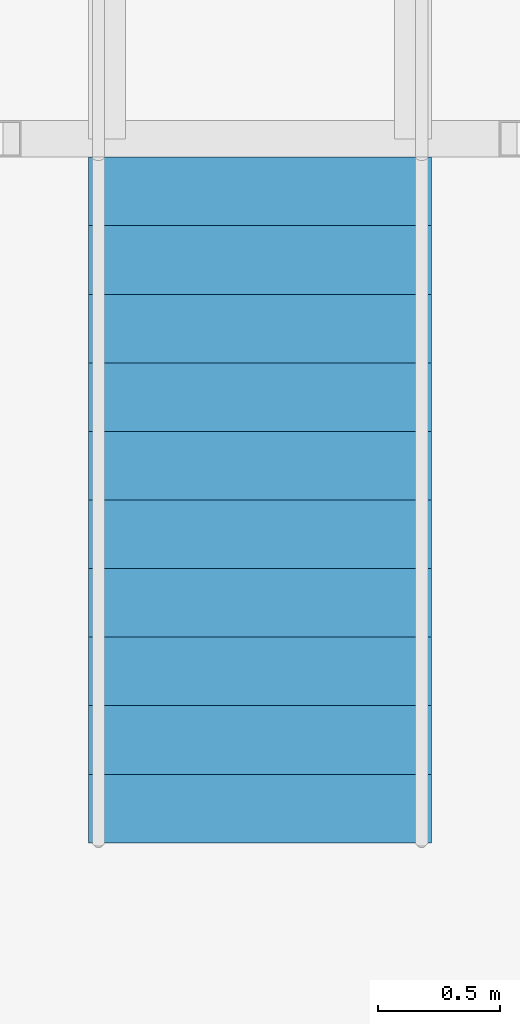
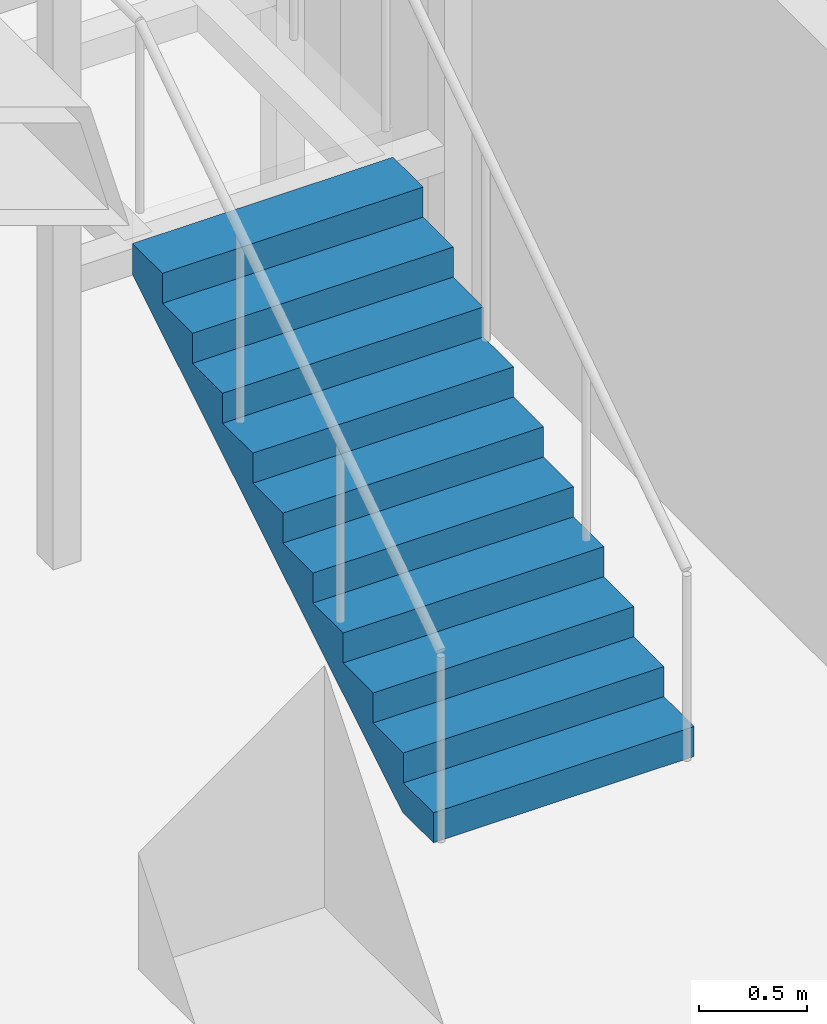
# One storey, part 23 of 27: 1 stair flight, 1 element without a shape of its own.
"""IFC4 building model written with IfcOpenShell, lengths in metres."""

from ifc_helpers import new_model, si_unit, direction, frame, origin, place, context, subcontext, project, spatial, triangles, material, type_object, element, aggregate, save


model = new_model("IFC4")

# Units and contexts
model_context = context("Model", 3, precision=1e-05, world=origin(), true_north=direction((0.0, 1.0)))
body_context = subcontext(model_context, "Body", "Model", "MODEL_VIEW")
ifc_project = project(units=[si_unit("LENGTHUNIT", "METRE"), si_unit("AREAUNIT", "SQUARE_METRE"), si_unit("VOLUMEUNIT", "CUBIC_METRE"), si_unit("PLANEANGLEUNIT", "RADIAN"), si_unit("MASSUNIT", "GRAM", prefix="KILO")], contexts=[model_context])

# Site, building, storey
site_placement = place(None, origin())
site = spatial("IfcSite", under=ifc_project, at=site_placement, CompositionType="ELEMENT")
building_placement = place(site_placement, origin())
building = spatial("IfcBuilding", under=site, at=building_placement, Name="Orbita Commons", CompositionType="ELEMENT")
storey_placement = place(building_placement, frame((0.0, 0.0, 246.550048828125)))
storey = spatial("IfcBuildingStorey", under=building, at=storey_placement, Name="L61", CompositionType="ELEMENT", Elevation=246.550048828125)

# Stair, stair flight
ifc_material_1 = material(Name="Steel ASTM A992 stringers, precast concrete C40/50 terrazzo treads", Category="concrete")
stair_type = type_object("IfcStairType", Name="Feature stair 22 risers 170 x 280 x 1400", PredefinedType="STRAIGHT_RUN_STAIR", material=ifc_material_1)
stair_placement = place(storey_placement, origin())
stair = element("IfcStair", 1, at=stair_placement, inside=storey, type_object=stair_type, Name="Neighbourhood stair L61 to L62", PredefinedType="STRAIGHT_RUN_STAIR")
ifc_material_2 = material(Name="Steel ASTM A992 stringers, precast concrete C40/50 terrazzo treads", Category="concrete")
stair_flight_type = type_object("IfcStairFlightType", Name="Feature stair flight 11 risers 170 x 1400", PredefinedType="STRAIGHT", material=ifc_material_2)
stair_flight_placement = place(storey_placement, frame((13.89990234375, 40.89990234375, 0.0), z_axis=(0.0, 0.0, 1.0), x_axis=(0.0, 1.0, 0.0)))
stair_flight = element("IfcStairFlight", 2, at=stair_flight_placement, type_object=stair_flight_type, Name="FS flight 1", NumberOfRisers=11, NumberOfTreads=10, PredefinedType="STRAIGHT", RiserHeight=0.170454545, TreadLength=0.28, context=body_context, shape_type="Tessellation", body=[
    triangles([(0.0, 0.699951, 0.0), (0.0, 0.699951, 0.021307), (0.0, 0.583293, 0.021307), (0.0, 0.583293, 0.0), (0.0, 0.466634, 0.021307), (0.0, 0.466634, 0.0), (0.0, 0.349976, 0.021307), (0.0, 0.349976, 0.0), (0.0, 0.233317, 0.021307), (0.0, 0.233317, 0.0), (0.0, 0.116659, 0.021307), (0.0, 0.116659, 0.0), (0.0, 0.0, 0.021307), (0.0, 0.0, 0.0), (0.0, -0.116659, 0.021307), (0.0, -0.116659, 0.0), (0.0, -0.233317, 0.021307), (0.0, -0.233317, 0.0), (0.0, -0.349976, 0.021307), (0.0, -0.349976, 0.0), (0.0, -0.466634, 0.021307), (0.0, -0.466634, 0.0), (0.0, -0.583293, 0.021307), (0.0, -0.583293, 0.0), (0.0, -0.699951, 0.021307), (0.0, -0.699951, 0.0), (0.0, 0.699951, 0.042614), (0.0, 0.583293, 0.042614), (0.0, 0.466634, 0.042614), (0.0, 0.349976, 0.042614), (0.0, 0.233317, 0.042614), (0.0, 0.116659, 0.042614), (0.0, 0.0, 0.042614), (0.0, -0.116659, 0.042614), (0.0, -0.233317, 0.042614), (0.0, -0.349976, 0.042614), (0.0, -0.466634, 0.042614), (0.0, -0.583293, 0.042614), (0.0, -0.699951, 0.042614), (0.0, 0.699951, 0.06392), (0.0, 0.583293, 0.06392), (0.0, 0.466634, 0.06392), (0.0, 0.349976, 0.06392), (0.0, 0.233317, 0.06392), (0.0, 0.116659, 0.06392), (0.0, 0.0, 0.06392), (0.0, -0.116659, 0.06392), (0.0, -0.233317, 0.06392), (0.0, -0.349976, 0.06392), (0.0, -0.466634, 0.06392), (0.0, -0.583293, 0.06392), (0.0, -0.699951, 0.06392), (0.0, 0.699951, 0.085227), (0.0, 0.583293, 0.085227), (0.0, 0.466634, 0.085227), (0.0, 0.349976, 0.085227), (0.0, 0.233317, 0.085227), (0.0, 0.116659, 0.085227), (0.0, 0.0, 0.085227), (0.0, -0.116659, 0.085227), (0.0, -0.233317, 0.085227), (0.0, -0.349976, 0.085227), (0.0, -0.466634, 0.085227), (0.0, -0.583293, 0.085227), (0.0, -0.699951, 0.085227), (0.0, 0.699951, 0.106534), (0.0, 0.583293, 0.106534), (0.0, 0.466634, 0.106534), (0.0, 0.349976, 0.106534), (0.0, 0.233317, 0.106534), (0.0, 0.116659, 0.106534), (0.0, 0.0, 0.106534), (0.0, -0.116659, 0.106534), (0.0, -0.233317, 0.106534), (0.0, -0.349976, 0.106534), (0.0, -0.466634, 0.106534), (0.0, -0.583293, 0.106534), (0.0, -0.699951, 0.106534), (0.0, 0.699951, 0.127841), (0.0, 0.583293, 0.127841), (0.0, 0.466634, 0.127841), (0.0, 0.349976, 0.127841), (0.0, 0.233317, 0.127841), (0.0, 0.116659, 0.127841), (0.0, 0.0, 0.127841), (0.0, -0.116659, 0.127841), (0.0, -0.233317, 0.127841), (0.0, -0.349976, 0.127841), (0.0, -0.466634, 0.127841), (0.0, -0.583293, 0.127841), (0.0, -0.699951, 0.127841), (0.0, 0.699951, 0.149148), (0.0, 0.583293, 0.149148), (0.0, 0.466634, 0.149148), (0.0, 0.349976, 0.149148), (0.0, 0.233317, 0.149148), (0.0, 0.116659, 0.149148), (0.0, 0.0, 0.149148), (0.0, -0.116659, 0.149148), (0.0, -0.233317, 0.149148), (0.0, -0.349976, 0.149148), (0.0, -0.466634, 0.149148), (0.0, -0.583293, 0.149148), (0.0, -0.699951, 0.149148), (0.0, 0.699951, 0.170455), (0.0, 0.583293, 0.170455), (0.0, 0.466634, 0.170455), (0.0, 0.349976, 0.170455), (0.0, 0.233317, 0.170455), (0.0, 0.116659, 0.170455), (0.0, 0.0, 0.170455), (0.0, -0.116659, 0.170455), (0.0, -0.233317, 0.170455), (0.0, -0.349976, 0.170455), (0.0, -0.466634, 0.170455), (0.0, -0.583293, 0.170455), (0.0, -0.699951, 0.170455), (0.28, 0.699951, 0.170455), (0.28, 0.583293, 0.170455), (0.28, 0.466634, 0.170455), (0.28, 0.349976, 0.170455), (0.28, 0.233317, 0.170455), (0.28, 0.116659, 0.170455), (0.28, 0.0, 0.170455), (0.28, -0.116659, 0.170455), (0.28, -0.233317, 0.170455), (0.28, -0.349976, 0.170455), (0.28, -0.466634, 0.170455), (0.28, -0.583293, 0.170455), (0.28, -0.699951, 0.170455), (0.28, 0.699951, 0.340909), (0.28, 0.583293, 0.340909), (0.28, 0.466634, 0.340909), (0.28, 0.349976, 0.340909), (0.28, 0.233317, 0.340909), (0.28, 0.116659, 0.340909), (0.28, 0.0, 0.340909), (0.28, -0.116659, 0.340909), (0.28, -0.233317, 0.340909), (0.28, -0.349976, 0.340909), (0.28, -0.466634, 0.340909), (0.28, -0.583293, 0.340909), (0.28, -0.699951, 0.340909), (0.56, 0.699951, 0.340909), (0.56, 0.583293, 0.340909), (0.56, 0.466634, 0.340909), (0.56, 0.349976, 0.340909), (0.56, 0.233317, 0.340909), (0.56, 0.116659, 0.340909), (0.56, 0.0, 0.340909), (0.56, -0.116659, 0.340909), (0.56, -0.233317, 0.340909), (0.56, -0.349976, 0.340909), (0.56, -0.466634, 0.340909), (0.56, -0.583293, 0.340909), (0.56, -0.699951, 0.340909), (0.56, 0.699951, 0.511364), (0.56, 0.583293, 0.511364), (0.56, 0.466634, 0.511364), (0.56, 0.349976, 0.511364), (0.56, 0.233317, 0.511364), (0.56, 0.116659, 0.511364), (0.56, 0.0, 0.511364), (0.56, -0.116659, 0.511364), (0.56, -0.233317, 0.511364), (0.56, -0.349976, 0.511364), (0.56, -0.466634, 0.511364), (0.56, -0.583293, 0.511364), (0.56, -0.699951, 0.511364), (0.84, 0.699951, 0.511364), (0.84, 0.583293, 0.511364), (0.84, 0.466634, 0.511364), (0.84, 0.349976, 0.511364), (0.84, 0.233317, 0.511364), (0.84, 0.116659, 0.511364), (0.84, 0.0, 0.511364), (0.84, -0.116659, 0.511364), (0.84, -0.233317, 0.511364), (0.84, -0.349976, 0.511364), (0.84, -0.466634, 0.511364), (0.84, -0.583293, 0.511364), (0.84, -0.699951, 0.511364), (0.84, 0.699951, 0.681818), (0.84, 0.583293, 0.681818), (0.84, 0.466634, 0.681818), (0.84, 0.349976, 0.681818), (0.84, 0.233317, 0.681818), (0.84, 0.116659, 0.681818), (0.84, 0.0, 0.681818), (0.84, -0.116659, 0.681818), (0.84, -0.233317, 0.681818), (0.84, -0.349976, 0.681818), (0.84, -0.466634, 0.681818), (0.84, -0.583293, 0.681818), (0.84, -0.699951, 0.681818), (1.12, 0.699951, 0.681818), (1.12, 0.583293, 0.681818), (1.12, 0.466634, 0.681818), (1.12, 0.349976, 0.681818), (1.12, 0.233317, 0.681818), (1.12, 0.116659, 0.681818), (1.12, 0.0, 0.681818), (1.12, -0.116659, 0.681818), (1.12, -0.233317, 0.681818), (1.12, -0.349976, 0.681818), (1.12, -0.466634, 0.681818), (1.12, -0.583293, 0.681818), (1.12, -0.699951, 0.681818), (1.12, 0.699951, 0.852273), (1.12, 0.583293, 0.852273), (1.12, 0.466634, 0.852273), (1.12, 0.349976, 0.852273), (1.12, 0.233317, 0.852273), (1.12, 0.116659, 0.852273), (1.12, 0.0, 0.852273), (1.12, -0.116659, 0.852273), (1.12, -0.233317, 0.852273), (1.12, -0.349976, 0.852273), (1.12, -0.466634, 0.852273), (1.12, -0.583293, 0.852273), (1.12, -0.699951, 0.852273), (1.4, 0.699951, 0.852273), (1.4, 0.583293, 0.852273), (1.4, 0.466634, 0.852273), (1.4, 0.349976, 0.852273), (1.4, 0.233317, 0.852273), (1.4, 0.116659, 0.852273), (1.4, 0.0, 0.852273), (1.4, -0.116659, 0.852273), (1.4, -0.233317, 0.852273), (1.4, -0.349976, 0.852273), (1.4, -0.466634, 0.852273), (1.4, -0.583293, 0.852273), (1.4, -0.699951, 0.852273), (1.4, 0.699951, 1.022727), (1.4, 0.583293, 1.022727), (1.4, 0.466634, 1.022727), (1.4, 0.349976, 1.022727), (1.4, 0.233317, 1.022727), (1.4, 0.116659, 1.022727), (1.4, 0.0, 1.022727), (1.4, -0.116659, 1.022727), (1.4, -0.233317, 1.022727), (1.4, -0.349976, 1.022727), (1.4, -0.466634, 1.022727), (1.4, -0.583293, 1.022727), (1.4, -0.699951, 1.022727), (1.68, 0.699951, 1.022727), (1.68, 0.583293, 1.022727), (1.68, 0.466634, 1.022727), (1.68, 0.349976, 1.022727), (1.68, 0.233317, 1.022727), (1.68, 0.116659, 1.022727), (1.68, 0.0, 1.022727), (1.68, -0.116659, 1.022727), (1.68, -0.233317, 1.022727), (1.68, -0.349976, 1.022727), (1.68, -0.466634, 1.022727), (1.68, -0.583293, 1.022727), (1.68, -0.699951, 1.022727), (1.68, 0.699951, 1.193182), (1.68, 0.583293, 1.193182), (1.68, 0.466634, 1.193182), (1.68, 0.349976, 1.193182), (1.68, 0.233317, 1.193182), (1.68, 0.116659, 1.193182), (1.68, 0.0, 1.193182), (1.68, -0.116659, 1.193182), (1.68, -0.233317, 1.193182), (1.68, -0.349976, 1.193182), (1.68, -0.466634, 1.193182), (1.68, -0.583293, 1.193182), (1.68, -0.699951, 1.193182), (1.96, 0.699951, 1.193182), (1.96, 0.583293, 1.193182), (1.96, 0.466634, 1.193182), (1.96, 0.349976, 1.193182), (1.96, 0.233317, 1.193182), (1.96, 0.116659, 1.193182), (1.96, 0.0, 1.193182), (1.96, -0.116659, 1.193182), (1.96, -0.233317, 1.193182), (1.96, -0.349976, 1.193182), (1.96, -0.466634, 1.193182), (1.96, -0.583293, 1.193182), (1.96, -0.699951, 1.193182), (1.96, 0.699951, 1.363636), (1.96, 0.583293, 1.363636), (1.96, 0.466634, 1.363636), (1.96, 0.349976, 1.363636), (1.96, 0.233317, 1.363636), (1.96, 0.116659, 1.363636), (1.96, 0.0, 1.363636), (1.96, -0.116659, 1.363636), (1.96, -0.233317, 1.363636), (1.96, -0.349976, 1.363636), (1.96, -0.466634, 1.363636), (1.96, -0.583293, 1.363636), (1.96, -0.699951, 1.363636), (2.24, 0.699951, 1.363636), (2.24, 0.583293, 1.363636), (2.24, 0.466634, 1.363636), (2.24, 0.349976, 1.363636), (2.24, 0.233317, 1.363636), (2.24, 0.116659, 1.363636), (2.24, 0.0, 1.363636), (2.24, -0.116659, 1.363636), (2.24, -0.233317, 1.363636), (2.24, -0.349976, 1.363636), (2.24, -0.466634, 1.363636), (2.24, -0.583293, 1.363636), (2.24, -0.699951, 1.363636), (2.24, 0.699951, 1.534091), (2.24, 0.583293, 1.534091), (2.24, 0.466634, 1.534091), (2.24, 0.349976, 1.534091), (2.24, 0.233317, 1.534091), (2.24, 0.116659, 1.534091), (2.24, 0.0, 1.534091), (2.24, -0.116659, 1.534091), (2.24, -0.233317, 1.534091), (2.24, -0.349976, 1.534091), (2.24, -0.466634, 1.534091), (2.24, -0.583293, 1.534091), (2.24, -0.699951, 1.534091), (2.52, 0.699951, 1.534091), (2.52, 0.583293, 1.534091), (2.52, 0.466634, 1.534091), (2.52, 0.349976, 1.534091), (2.52, 0.233317, 1.534091), (2.52, 0.116659, 1.534091), (2.52, 0.0, 1.534091), (2.52, -0.116659, 1.534091), (2.52, -0.233317, 1.534091), (2.52, -0.349976, 1.534091), (2.52, -0.466634, 1.534091), (2.52, -0.583293, 1.534091), (2.52, -0.699951, 1.534091), (2.52, 0.699951, 1.704545), (2.52, 0.583293, 1.704545), (2.52, 0.466634, 1.704545), (2.52, 0.349976, 1.704545), (2.52, 0.233317, 1.704545), (2.52, 0.116659, 1.704545), (2.52, 0.0, 1.704545), (2.52, -0.116659, 1.704545), (2.52, -0.233317, 1.704545), (2.52, -0.349976, 1.704545), (2.52, -0.466634, 1.704545), (2.52, -0.583293, 1.704545), (2.52, -0.699951, 1.704545), (2.8, 0.699951, 1.704545), (2.8, 0.583293, 1.704545), (2.8, 0.466634, 1.704545), (2.8, 0.349976, 1.704545), (2.8, 0.233317, 1.704545), (2.8, 0.116659, 1.704545), (2.8, 0.0, 1.704545), (2.8, -0.116659, 1.704545), (2.8, -0.233317, 1.704545), (2.8, -0.349976, 1.704545), (2.8, -0.466634, 1.704545), (2.8, -0.583293, 1.704545), (2.8, -0.699951, 1.704545), (2.8, 0.699951, 1.682609), (2.8, 0.583293, 1.682609), (2.8, 0.466634, 1.682609), (2.8, 0.349976, 1.682609), (2.8, 0.233317, 1.682609), (2.8, 0.116659, 1.682609), (2.8, 0.0, 1.682609), (2.8, -0.116659, 1.682609), (2.8, -0.233317, 1.682609), (2.8, -0.349976, 1.682609), (2.8, -0.466634, 1.682609), (2.8, -0.583293, 1.682609), (2.8, -0.699951, 1.682609), (2.8, 0.699951, 1.660672), (2.8, 0.583293, 1.660672), (2.8, 0.466634, 1.660672), (2.8, 0.349976, 1.660672), (2.8, 0.233317, 1.660672), (2.8, 0.116659, 1.660672), (2.8, 0.0, 1.660672), (2.8, -0.116659, 1.660672), (2.8, -0.233317, 1.660672), (2.8, -0.349976, 1.660672), (2.8, -0.466634, 1.660672), (2.8, -0.583293, 1.660672), (2.8, -0.699951, 1.660672), (2.8, 0.699951, 1.638735), (2.8, 0.583293, 1.638735), (2.8, 0.466634, 1.638735), (2.8, 0.349976, 1.638735), (2.8, 0.233317, 1.638735), (2.8, 0.116659, 1.638735), (2.8, 0.0, 1.638735), (2.8, -0.116659, 1.638735), (2.8, -0.233317, 1.638735), (2.8, -0.349976, 1.638735), (2.8, -0.466634, 1.638735), (2.8, -0.583293, 1.638735), (2.8, -0.699951, 1.638735), (2.8, 0.699951, 1.616798), (2.8, 0.583293, 1.616798), (2.8, 0.466634, 1.616798), (2.8, 0.349976, 1.616798), (2.8, 0.233317, 1.616798), (2.8, 0.116659, 1.616798), (2.8, 0.0, 1.616798), (2.8, -0.116659, 1.616798), (2.8, -0.233317, 1.616798), (2.8, -0.349976, 1.616798), (2.8, -0.466634, 1.616798), (2.8, -0.583293, 1.616798), (2.8, -0.699951, 1.616798), (2.8, 0.699951, 1.594861), (2.8, 0.583293, 1.594861), (2.8, 0.466634, 1.594861), (2.8, 0.349976, 1.594861), (2.8, 0.233317, 1.594861), (2.8, 0.116659, 1.594861), (2.8, 0.0, 1.594861), (2.8, -0.116659, 1.594861), (2.8, -0.233317, 1.594861), (2.8, -0.349976, 1.594861), (2.8, -0.466634, 1.594861), (2.8, -0.583293, 1.594861), (2.8, -0.699951, 1.594861), (2.8, 0.699951, 1.572925), (2.8, 0.583293, 1.572925), (2.8, 0.466634, 1.572925), (2.8, 0.349976, 1.572925), (2.8, 0.233317, 1.572925), (2.8, 0.116659, 1.572925), (2.8, 0.0, 1.572925), (2.8, -0.116659, 1.572925), (2.8, -0.233317, 1.572925), (2.8, -0.349976, 1.572925), (2.8, -0.466634, 1.572925), (2.8, -0.583293, 1.572925), (2.8, -0.699951, 1.572925), (2.8, 0.699951, 1.550988), (2.8, 0.583293, 1.550988), (2.8, 0.466634, 1.550988), (2.8, 0.349976, 1.550988), (2.8, 0.233317, 1.550988), (2.8, 0.116659, 1.550988), (2.8, 0.0, 1.550988), (2.8, -0.116659, 1.550988), (2.8, -0.233317, 1.550988), (2.8, -0.349976, 1.550988), (2.8, -0.466634, 1.550988), (2.8, -0.583293, 1.550988), (2.8, -0.699951, 1.550988), (2.8, 0.699951, 1.529051), (2.8, 0.583293, 1.529051), (2.8, 0.466634, 1.529051), (2.8, 0.349976, 1.529051), (2.8, 0.233317, 1.529051), (2.8, 0.116659, 1.529051), (2.8, 0.0, 1.529051), (2.8, -0.116659, 1.529051), (2.8, -0.233317, 1.529051), (2.8, -0.349976, 1.529051), (2.8, -0.466634, 1.529051), (2.8, -0.583293, 1.529051), (2.8, -0.699951, 1.529051), (0.288279, 0.699951, 0.0), (0.288279, 0.583293, 0.0), (0.288279, 0.466634, 0.0), (0.288279, 0.349976, 0.0), (0.288279, 0.233317, 0.0), (0.288279, 0.116659, 0.0), (0.288279, 0.0, 0.0), (0.288279, -0.116659, 0.0), (0.288279, -0.233317, 0.0), (0.288279, -0.349976, 0.0), (0.288279, -0.466634, 0.0), (0.288279, -0.583293, 0.0), (0.288279, -0.699951, 0.0)], [[3, 2, 1], [4, 3, 1], [5, 3, 4], [6, 5, 4], [7, 5, 6], [8, 7, 6], [9, 7, 8], [10, 9, 8], [11, 9, 10], [12, 11, 10], [13, 11, 12], [14, 13, 12], [15, 13, 14], [16, 15, 14], [17, 15, 16], [18, 17, 16], [19, 17, 18], [20, 19, 18], [21, 19, 20], [22, 21, 20], [23, 21, 22], [24, 23, 22], [25, 23, 24], [26, 25, 24], [28, 27, 2], [3, 28, 2], [29, 28, 3], [5, 29, 3], [30, 29, 5], [7, 30, 5], [31, 30, 7], [9, 31, 7], [32, 31, 9], [11, 32, 9], [33, 32, 11], [13, 33, 11], [34, 33, 13], [15, 34, 13], [35, 34, 15], [17, 35, 15], [36, 35, 17], [19, 36, 17], [37, 36, 19], [21, 37, 19], [38, 37, 21], [23, 38, 21], [39, 38, 23], [25, 39, 23], [41, 40, 27], [28, 41, 27], [42, 41, 28], [29, 42, 28], [43, 42, 29], [30, 43, 29], [44, 43, 30], [31, 44, 30], [45, 44, 31], [32, 45, 31], [46, 45, 32], [33, 46, 32], [47, 46, 33], [34, 47, 33], [48, 47, 34], [35, 48, 34], [49, 48, 35], [36, 49, 35], [50, 49, 36], [37, 50, 36], [51, 50, 37], [38, 51, 37], [52, 51, 38], [39, 52, 38], [54, 53, 40], [41, 54, 40], [55, 54, 41], [42, 55, 41], [56, 55, 42], [43, 56, 42], [57, 56, 43], [44, 57, 43], [58, 57, 44], [45, 58, 44], [59, 58, 45], [46, 59, 45], [60, 59, 46], [47, 60, 46], [61, 60, 47], [48, 61, 47], [62, 61, 48], [49, 62, 48], [63, 62, 49], [50, 63, 49], [64, 63, 50], [51, 64, 50], [65, 64, 51], [52, 65, 51], [67, 66, 53], [54, 67, 53], [68, 67, 54], [55, 68, 54], [69, 68, 55], [56, 69, 55], [70, 69, 56], [57, 70, 56], [71, 70, 57], [58, 71, 57], [72, 71, 58], [59, 72, 58], [73, 72, 59], [60, 73, 59], [74, 73, 60], [61, 74, 60], [75, 74, 61], [62, 75, 61], [76, 75, 62], [63, 76, 62], [77, 76, 63], [64, 77, 63], [78, 77, 64], [65, 78, 64], [80, 79, 66], [67, 80, 66], [81, 80, 67], [68, 81, 67], [82, 81, 68], [69, 82, 68], [83, 82, 69], [70, 83, 69], [84, 83, 70], [71, 84, 70], [85, 84, 71], [72, 85, 71], [86, 85, 72], [73, 86, 72], [87, 86, 73], [74, 87, 73], [88, 87, 74], [75, 88, 74], [89, 88, 75], [76, 89, 75], [90, 89, 76], [77, 90, 76], [91, 90, 77], [78, 91, 77], [93, 92, 79], [80, 93, 79], [94, 93, 80], [81, 94, 80], [95, 94, 81], [82, 95, 81], [96, 95, 82], [83, 96, 82], [97, 96, 83], [84, 97, 83], [98, 97, 84], [85, 98, 84], [99, 98, 85], [86, 99, 85], [100, 99, 86], [87, 100, 86], [101, 100, 87], [88, 101, 87], [102, 101, 88], [89, 102, 88], [103, 102, 89], [90, 103, 89], [104, 103, 90], [91, 104, 90], [106, 105, 92], [93, 106, 92], [107, 106, 93], [94, 107, 93], [108, 107, 94], [95, 108, 94], [109, 108, 95], [96, 109, 95], [110, 109, 96], [97, 110, 96], [111, 110, 97], [98, 111, 97], [112, 111, 98], [99, 112, 98], [113, 112, 99], [100, 113, 99], [114, 113, 100], [101, 114, 100], [115, 114, 101], [102, 115, 101], [116, 115, 102], [103, 116, 102], [117, 116, 103], [104, 117, 103], [119, 118, 105], [106, 119, 105], [120, 119, 106], [107, 120, 106], [121, 120, 107], [108, 121, 107], [122, 121, 108], [109, 122, 108], [123, 122, 109], [110, 123, 109], [124, 123, 110], [111, 124, 110], [125, 124, 111], [112, 125, 111], [126, 125, 112], [113, 126, 112], [127, 126, 113], [114, 127, 113], [128, 127, 114], [115, 128, 114], [129, 128, 115], [116, 129, 115], [130, 129, 116], [117, 130, 116], [132, 131, 118], [119, 132, 118], [133, 132, 119], [120, 133, 119], [134, 133, 120], [121, 134, 120], [135, 134, 121], [122, 135, 121], [136, 135, 122], [123, 136, 122], [137, 136, 123], [124, 137, 123], [138, 137, 124], [125, 138, 124], [139, 138, 125], [126, 139, 125], [140, 139, 126], [127, 140, 126], [141, 140, 127], [128, 141, 127], [142, 141, 128], [129, 142, 128], [143, 142, 129], [130, 143, 129], [145, 144, 131], [132, 145, 131], [146, 145, 132], [133, 146, 132], [147, 146, 133], [134, 147, 133], [148, 147, 134], [135, 148, 134], [149, 148, 135], [136, 149, 135], [150, 149, 136], [137, 150, 136], [151, 150, 137], [138, 151, 137], [152, 151, 138], [139, 152, 138], [153, 152, 139], [140, 153, 139], [154, 153, 140], [141, 154, 140], [155, 154, 141], [142, 155, 141], [156, 155, 142], [143, 156, 142], [158, 157, 144], [145, 158, 144], [159, 158, 145], [146, 159, 145], [160, 159, 146], [147, 160, 146], [161, 160, 147], [148, 161, 147], [162, 161, 148], [149, 162, 148], [163, 162, 149], [150, 163, 149], [164, 163, 150], [151, 164, 150], [165, 164, 151], [152, 165, 151], [166, 165, 152], [153, 166, 152], [167, 166, 153], [154, 167, 153], [168, 167, 154], [155, 168, 154], [169, 168, 155], [156, 169, 155], [171, 170, 157], [158, 171, 157], [172, 171, 158], [159, 172, 158], [173, 172, 159], [160, 173, 159], [174, 173, 160], [161, 174, 160], [175, 174, 161], [162, 175, 161], [176, 175, 162], [163, 176, 162], [177, 176, 163], [164, 177, 163], [178, 177, 164], [165, 178, 164], [179, 178, 165], [166, 179, 165], [180, 179, 166], [167, 180, 166], [181, 180, 167], [168, 181, 167], [182, 181, 168], [169, 182, 168], [184, 183, 170], [171, 184, 170], [185, 184, 171], [172, 185, 171], [186, 185, 172], [173, 186, 172], [187, 186, 173], [174, 187, 173], [188, 187, 174], [175, 188, 174], [189, 188, 175], [176, 189, 175], [190, 189, 176], [177, 190, 176], [191, 190, 177], [178, 191, 177], [192, 191, 178], [179, 192, 178], [193, 192, 179], [180, 193, 179], [194, 193, 180], [181, 194, 180], [195, 194, 181], [182, 195, 181], [197, 196, 183], [184, 197, 183], [198, 197, 184], [185, 198, 184], [199, 198, 185], [186, 199, 185], [200, 199, 186], [187, 200, 186], [201, 200, 187], [188, 201, 187], [202, 201, 188], [189, 202, 188], [203, 202, 189], [190, 203, 189], [204, 203, 190], [191, 204, 190], [205, 204, 191], [192, 205, 191], [206, 205, 192], [193, 206, 192], [207, 206, 193], [194, 207, 193], [208, 207, 194], [195, 208, 194], [210, 209, 196], [197, 210, 196], [211, 210, 197], [198, 211, 197], [212, 211, 198], [199, 212, 198], [213, 212, 199], [200, 213, 199], [214, 213, 200], [201, 214, 200], [215, 214, 201], [202, 215, 201], [216, 215, 202], [203, 216, 202], [217, 216, 203], [204, 217, 203], [218, 217, 204], [205, 218, 204], [219, 218, 205], [206, 219, 205], [220, 219, 206], [207, 220, 206], [221, 220, 207], [208, 221, 207], [223, 222, 209], [210, 223, 209], [224, 223, 210], [211, 224, 210], [225, 224, 211], [212, 225, 211], [226, 225, 212], [213, 226, 212], [227, 226, 213], [214, 227, 213], [228, 227, 214], [215, 228, 214], [229, 228, 215], [216, 229, 215], [230, 229, 216], [217, 230, 216], [231, 230, 217], [218, 231, 217], [232, 231, 218], [219, 232, 218], [233, 232, 219], [220, 233, 219], [234, 233, 220], [221, 234, 220], [236, 235, 222], [223, 236, 222], [237, 236, 223], [224, 237, 223], [238, 237, 224], [225, 238, 224], [239, 238, 225], [226, 239, 225], [240, 239, 226], [227, 240, 226], [241, 240, 227], [228, 241, 227], [242, 241, 228], [229, 242, 228], [243, 242, 229], [230, 243, 229], [244, 243, 230], [231, 244, 230], [245, 244, 231], [232, 245, 231], [246, 245, 232], [233, 246, 232], [247, 246, 233], [234, 247, 233], [249, 248, 235], [236, 249, 235], [250, 249, 236], [237, 250, 236], [251, 250, 237], [238, 251, 237], [252, 251, 238], [239, 252, 238], [253, 252, 239], [240, 253, 239], [254, 253, 240], [241, 254, 240], [255, 254, 241], [242, 255, 241], [256, 255, 242], [243, 256, 242], [257, 256, 243], [244, 257, 243], [258, 257, 244], [245, 258, 244], [259, 258, 245], [246, 259, 245], [260, 259, 246], [247, 260, 246], [262, 261, 248], [249, 262, 248], [263, 262, 249], [250, 263, 249], [264, 263, 250], [251, 264, 250], [265, 264, 251], [252, 265, 251], [266, 265, 252], [253, 266, 252], [267, 266, 253], [254, 267, 253], [268, 267, 254], [255, 268, 254], [269, 268, 255], [256, 269, 255], [270, 269, 256], [257, 270, 256], [271, 270, 257], [258, 271, 257], [272, 271, 258], [259, 272, 258], [273, 272, 259], [260, 273, 259], [275, 274, 261], [262, 275, 261], [276, 275, 262], [263, 276, 262], [277, 276, 263], [264, 277, 263], [278, 277, 264], [265, 278, 264], [279, 278, 265], [266, 279, 265], [280, 279, 266], [267, 280, 266], [281, 280, 267], [268, 281, 267], [282, 281, 268], [269, 282, 268], [283, 282, 269], [270, 283, 269], [284, 283, 270], [271, 284, 270], [285, 284, 271], [272, 285, 271], [286, 285, 272], [273, 286, 272], [288, 287, 274], [275, 288, 274], [289, 288, 275], [276, 289, 275], [290, 289, 276], [277, 290, 276], [291, 290, 277], [278, 291, 277], [292, 291, 278], [279, 292, 278], [293, 292, 279], [280, 293, 279], [294, 293, 280], [281, 294, 280], [295, 294, 281], [282, 295, 281], [296, 295, 282], [283, 296, 282], [297, 296, 283], [284, 297, 283], [298, 297, 284], [285, 298, 284], [299, 298, 285], [286, 299, 285], [301, 300, 287], [288, 301, 287], [302, 301, 288], [289, 302, 288], [303, 302, 289], [290, 303, 289], [304, 303, 290], [291, 304, 290], [305, 304, 291], [292, 305, 291], [306, 305, 292], [293, 306, 292], [307, 306, 293], [294, 307, 293], [308, 307, 294], [295, 308, 294], [309, 308, 295], [296, 309, 295], [310, 309, 296], [297, 310, 296], [311, 310, 297], [298, 311, 297], [312, 311, 298], [299, 312, 298], [314, 313, 300], [301, 314, 300], [315, 314, 301], [302, 315, 301], [316, 315, 302], [303, 316, 302], [317, 316, 303], [304, 317, 303], [318, 317, 304], [305, 318, 304], [319, 318, 305], [306, 319, 305], [320, 319, 306], [307, 320, 306], [321, 320, 307], [308, 321, 307], [322, 321, 308], [309, 322, 308], [323, 322, 309], [310, 323, 309], [324, 323, 310], [311, 324, 310], [325, 324, 311], [312, 325, 311], [327, 326, 313], [314, 327, 313], [328, 327, 314], [315, 328, 314], [329, 328, 315], [316, 329, 315], [330, 329, 316], [317, 330, 316], [331, 330, 317], [318, 331, 317], [332, 331, 318], [319, 332, 318], [333, 332, 319], [320, 333, 319], [334, 333, 320], [321, 334, 320], [335, 334, 321], [322, 335, 321], [336, 335, 322], [323, 336, 322], [337, 336, 323], [324, 337, 323], [338, 337, 324], [325, 338, 324], [340, 339, 326], [327, 340, 326], [341, 340, 327], [328, 341, 327], [342, 341, 328], [329, 342, 328], [343, 342, 329], [330, 343, 329], [344, 343, 330], [331, 344, 330], [345, 344, 331], [332, 345, 331], [346, 345, 332], [333, 346, 332], [347, 346, 333], [334, 347, 333], [348, 347, 334], [335, 348, 334], [349, 348, 335], [336, 349, 335], [350, 349, 336], [337, 350, 336], [351, 350, 337], [338, 351, 337], [353, 352, 339], [340, 353, 339], [354, 353, 340], [341, 354, 340], [355, 354, 341], [342, 355, 341], [356, 355, 342], [343, 356, 342], [357, 356, 343], [344, 357, 343], [358, 357, 344], [345, 358, 344], [359, 358, 345], [346, 359, 345], [360, 359, 346], [347, 360, 346], [361, 360, 347], [348, 361, 347], [362, 361, 348], [349, 362, 348], [363, 362, 349], [350, 363, 349], [364, 363, 350], [351, 364, 350], [366, 365, 352], [353, 366, 352], [367, 366, 353], [354, 367, 353], [368, 367, 354], [355, 368, 354], [369, 368, 355], [356, 369, 355], [370, 369, 356], [357, 370, 356], [371, 370, 357], [358, 371, 357], [372, 371, 358], [359, 372, 358], [373, 372, 359], [360, 373, 359], [374, 373, 360], [361, 374, 360], [375, 374, 361], [362, 375, 361], [376, 375, 362], [363, 376, 362], [377, 376, 363], [364, 377, 363], [379, 378, 365], [366, 379, 365], [380, 379, 366], [367, 380, 366], [381, 380, 367], [368, 381, 367], [382, 381, 368], [369, 382, 368], [383, 382, 369], [370, 383, 369], [384, 383, 370], [371, 384, 370], [385, 384, 371], [372, 385, 371], [386, 385, 372], [373, 386, 372], [387, 386, 373], [374, 387, 373], [388, 387, 374], [375, 388, 374], [389, 388, 375], [376, 389, 375], [390, 389, 376], [377, 390, 376], [392, 391, 378], [379, 392, 378], [393, 392, 379], [380, 393, 379], [394, 393, 380], [381, 394, 380], [395, 394, 381], [382, 395, 381], [396, 395, 382], [383, 396, 382], [397, 396, 383], [384, 397, 383], [398, 397, 384], [385, 398, 384], [399, 398, 385], [386, 399, 385], [400, 399, 386], [387, 400, 386], [401, 400, 387], [388, 401, 387], [402, 401, 388], [389, 402, 388], [403, 402, 389], [390, 403, 389], [405, 404, 391], [392, 405, 391], [406, 405, 392], [393, 406, 392], [407, 406, 393], [394, 407, 393], [408, 407, 394], [395, 408, 394], [409, 408, 395], [396, 409, 395], [410, 409, 396], [397, 410, 396], [411, 410, 397], [398, 411, 397], [412, 411, 398], [399, 412, 398], [413, 412, 399], [400, 413, 399], [414, 413, 400], [401, 414, 400], [415, 414, 401], [402, 415, 401], [416, 415, 402], [403, 416, 402], [418, 417, 404], [405, 418, 404], [419, 418, 405], [406, 419, 405], [420, 419, 406], [407, 420, 406], [421, 420, 407], [408, 421, 407], [422, 421, 408], [409, 422, 408], [423, 422, 409], [410, 423, 409], [424, 423, 410], [411, 424, 410], [425, 424, 411], [412, 425, 411], [426, 425, 412], [413, 426, 412], [427, 426, 413], [414, 427, 413], [428, 427, 414], [415, 428, 414], [429, 428, 415], [416, 429, 415], [431, 430, 417], [418, 431, 417], [432, 431, 418], [419, 432, 418], [433, 432, 419], [420, 433, 419], [434, 433, 420], [421, 434, 420], [435, 434, 421], [422, 435, 421], [436, 435, 422], [423, 436, 422], [437, 436, 423], [424, 437, 423], [438, 437, 424], [425, 438, 424], [439, 438, 425], [426, 439, 425], [440, 439, 426], [427, 440, 426], [441, 440, 427], [428, 441, 427], [442, 441, 428], [429, 442, 428], [444, 443, 430], [431, 444, 430], [445, 444, 431], [432, 445, 431], [446, 445, 432], [433, 446, 432], [447, 446, 433], [434, 447, 433], [448, 447, 434], [435, 448, 434], [449, 448, 435], [436, 449, 435], [450, 449, 436], [437, 450, 436], [451, 450, 437], [438, 451, 437], [452, 451, 438], [439, 452, 438], [453, 452, 439], [440, 453, 439], [454, 453, 440], [441, 454, 440], [455, 454, 441], [442, 455, 441], [457, 456, 443], [444, 457, 443], [458, 457, 444], [445, 458, 444], [459, 458, 445], [446, 459, 445], [460, 459, 446], [447, 460, 446], [461, 460, 447], [448, 461, 447], [462, 461, 448], [449, 462, 448], [463, 462, 449], [450, 463, 449], [464, 463, 450], [451, 464, 450], [465, 464, 451], [452, 465, 451], [466, 465, 452], [453, 466, 452], [467, 466, 453], [454, 467, 453], [468, 467, 454], [455, 468, 454], [470, 469, 456], [457, 470, 456], [471, 470, 457], [458, 471, 457], [472, 471, 458], [459, 472, 458], [473, 472, 459], [460, 473, 459], [474, 473, 460], [461, 474, 460], [475, 474, 461], [462, 475, 461], [476, 475, 462], [463, 476, 462], [477, 476, 463], [464, 477, 463], [478, 477, 464], [465, 478, 464], [479, 478, 465], [466, 479, 465], [480, 479, 466], [467, 480, 466], [481, 480, 467], [468, 481, 467], [4, 1, 469], [470, 4, 469], [6, 4, 470], [471, 6, 470], [8, 6, 471], [472, 8, 471], [10, 8, 472], [473, 10, 472], [12, 10, 473], [474, 12, 473], [14, 12, 474], [475, 14, 474], [16, 14, 475], [476, 16, 475], [18, 16, 476], [477, 18, 476], [20, 18, 477], [478, 20, 477], [22, 20, 478], [479, 22, 478], [24, 22, 479], [480, 24, 479], [26, 24, 480], [481, 26, 480], [456, 469, 1], [26, 481, 468], [443, 456, 1], [26, 468, 455], [430, 443, 1], [26, 455, 442], [417, 430, 1], [26, 442, 429], [404, 417, 1], [26, 429, 416], [391, 404, 1], [26, 416, 403], [378, 391, 1], [26, 403, 390], [365, 378, 1], [26, 390, 377], [339, 352, 365], [377, 364, 351], [326, 339, 365], [377, 351, 338], [300, 313, 326], [338, 325, 312], [300, 326, 365], [377, 338, 312], [274, 287, 300], [312, 299, 286], [274, 300, 365], [377, 312, 286], [248, 261, 274], [286, 273, 260], [248, 274, 365], [377, 286, 260], [222, 235, 248], [260, 247, 234], [222, 248, 365], [377, 260, 234], [196, 209, 222], [234, 221, 208], [196, 222, 365], [377, 234, 208], [170, 183, 196], [208, 195, 182], [170, 196, 365], [377, 208, 182], [144, 157, 170], [182, 169, 156], [144, 170, 365], [377, 182, 156], [118, 131, 144], [156, 143, 130], [118, 144, 365], [377, 156, 130], [118, 365, 1], [26, 377, 130], [92, 105, 118], [130, 117, 104], [79, 92, 118], [130, 104, 91], [66, 79, 118], [130, 91, 78], [53, 66, 118], [130, 78, 65], [40, 53, 118], [130, 65, 52], [27, 40, 118], [130, 52, 39], [2, 27, 118], [130, 39, 25], [1, 2, 118], [130, 25, 26]], closed=True),
])
aggregate(stair, [stair_flight])

save(model, "model.ifc")
